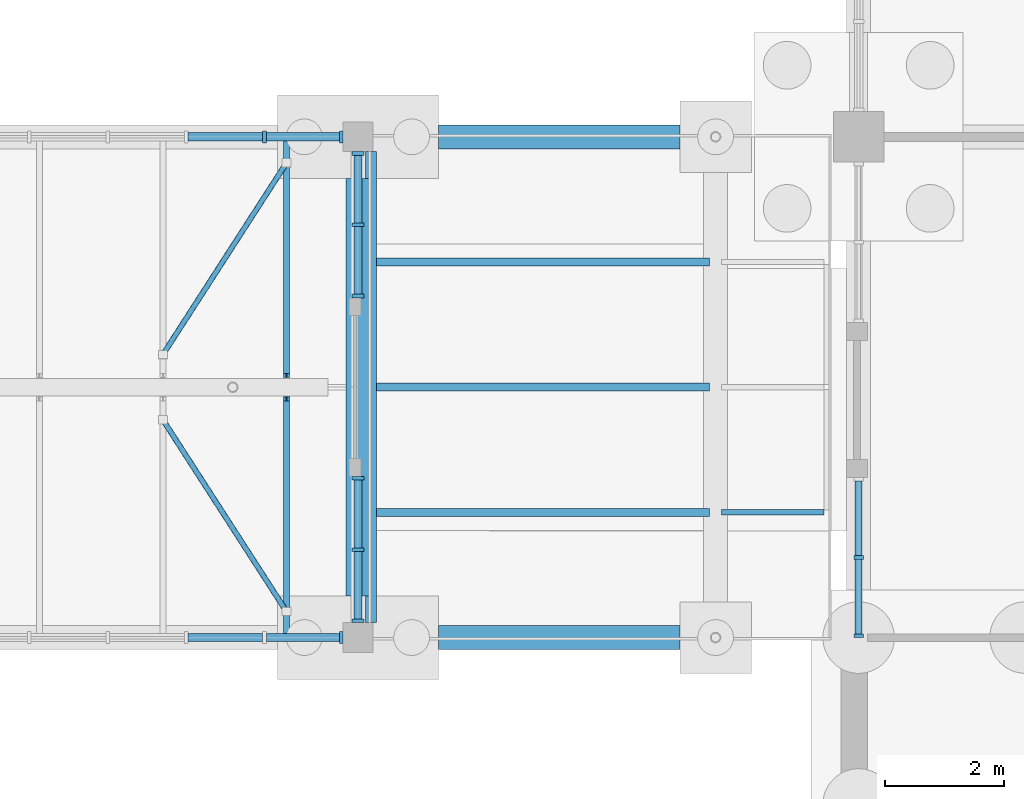
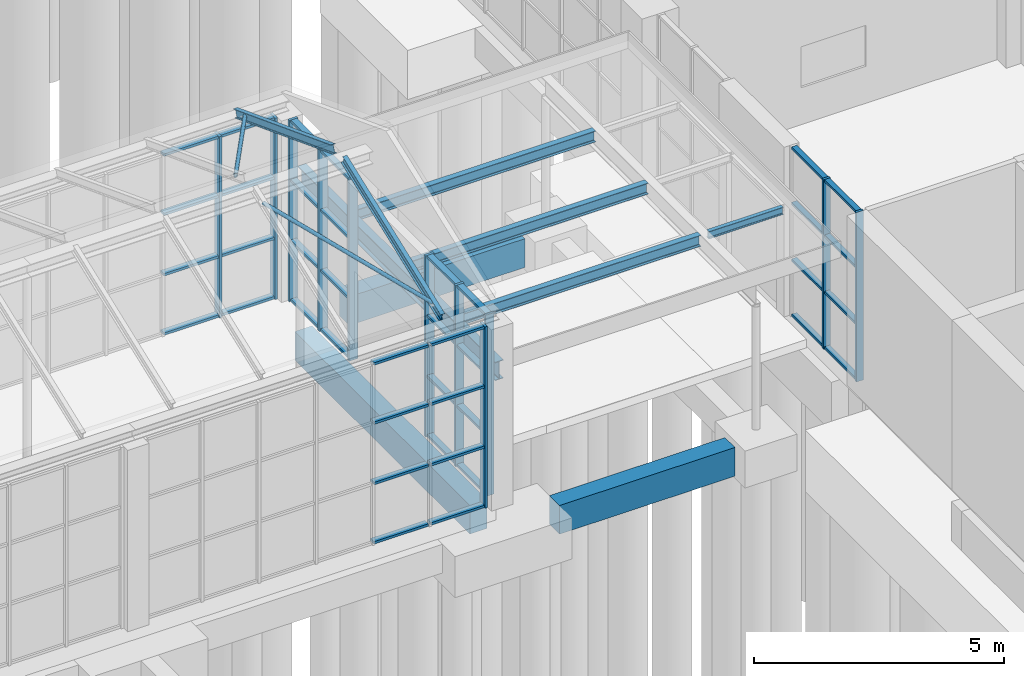
# One storey, part 67 of 138: 53 members, 10 beams, 5 elements without a shape of their own.
"""IFC4 building model written with IfcOpenShell, lengths in metres."""

from ifc_helpers import new_model, si_unit, direction, frame, origin, origin_2d, place, context, subcontext, project, spatial, rectangle, hollow_circle, i_section, extrude, material, material_profile, profile_set, type_object, element, aggregate, save


model = new_model("IFC4")

# Units and contexts
model_context = context("Model", 3, precision=1e-05, world=origin(), true_north=direction((0.0, 1.0)))
body_context = subcontext(model_context, "Body", "Model", "MODEL_VIEW")
ifc_project = project(units=[si_unit("LENGTHUNIT", "METRE"), si_unit("AREAUNIT", "SQUARE_METRE"), si_unit("VOLUMEUNIT", "CUBIC_METRE"), si_unit("PLANEANGLEUNIT", "RADIAN"), si_unit("MASSUNIT", "GRAM", prefix="KILO")], contexts=[model_context])

# Site, building, storey
site_placement = place(None, origin())
site = spatial("IfcSite", under=ifc_project, at=site_placement, CompositionType="ELEMENT")
building_placement = place(site_placement, origin())
building = spatial("IfcBuilding", under=site, at=building_placement, Name="Yavir Park General Hospital", CompositionType="ELEMENT")
storey_placement = place(building_placement, origin())
storey = spatial("IfcBuildingStorey", under=building, at=storey_placement, Name="L00", CompositionType="ELEMENT", Elevation=0.0)

# Members
ifc_material_1 = material(Name="Steel S355", Category="steel")
ifc_material_profile_1 = material_profile(ifc_material_1, hollow_circle(Radius=0.04443359375, WallThickness=0.0048828125, at=origin_2d()), Name="CHS88.9x5")
ifc_profile_set_1 = profile_set([ifc_material_profile_1], Name="Steel S355")
member_type_1 = type_object("IfcMemberType", Name="CHS 88.9x5 roof brace", PredefinedType="BRACE", material=ifc_profile_set_1)
member_1_placement = place(storey_placement, frame((133.199951171875, 50.839111328125, 4.999755859375), z_axis=(-0.516017146334, 0.800464760568, 0.304930273635), x_axis=(-0.840493535423, -0.541821572949, 0.0)))
element("IfcMember", 1, at=member_1_placement, inside=storey, type_object=member_type_1, Name="RF:CONC:frame:X:1", PredefinedType="BRACE", context=body_context, shape_type="SweptSolid", body=[
    extrude(hollow_circle(Radius=0.04443359375, WallThickness=0.0048828125, at=origin_2d()), origin(), (0.0, 0.0, 1.0), 4.016845703125),
])
member_2_placement = place(storey_placement, frame((133.199951171875, 58.361083984375, 4.999755859375), z_axis=(-0.515992042065, -0.80048659435, 0.304915438756), x_axis=(0.840512269238, -0.541792511262, 0.0)))
element("IfcMember", 2, at=member_2_placement, inside=storey, type_object=member_type_1, Name="RF:CONC:frame:X:3", PredefinedType="BRACE", context=body_context, shape_type="SweptSolid", body=[
    extrude(hollow_circle(Radius=0.04443359375, WallThickness=0.0048828125, at=origin_2d()), origin(), (0.0, 0.0, 1.0), 4.01708984375),
])

# Curtain wall, members
ifc_material_2 = material(Name="Aluminium curtain wall frame with insulated glazing", Category="aluminium")
curtain_wall_type_1 = type_object("IfcCurtainWallType", Name="Emergency walk-in glazing, 4140 high, 1400 module", PredefinedType="NOTDEFINED", material=ifc_material_2)
curtain_wall_1_placement = place(storey_placement, origin())
curtain_wall_1 = element("IfcCurtainWall", 3, at=curtain_wall_1_placement, inside=storey, type_object=curtain_wall_type_1, Name="CW5 L00-069", PredefinedType="NOTDEFINED")
ifc_material_3 = material(Name="Aluminium", Category="aluminium")
ifc_material_profile_2 = material_profile(ifc_material_3, rectangle(XDim=0.159912109375, YDim=0.06005859375, at=origin_2d()), Name="AL 60x160")
ifc_profile_set_2 = profile_set([ifc_material_profile_2], Name="Aluminium")
member_type_2 = type_object("IfcMemberType", Name="Emergency walk-in glazing, 4140 high mullion 60 x 160", PredefinedType="MULLION", material=ifc_profile_set_2)
member_3_placement = place(storey_placement, frame((142.800048828125, 50.429931640625, 0.0), z_axis=(0.0, 0.0, 1.0), x_axis=(-1.0, 0.0, 0.0)))
member_3 = element("IfcMember", 4, at=member_3_placement, type_object=member_type_2, Name="CW5 mullion 1", PredefinedType="MULLION", context=body_context, shape_type="SweptSolid", body=[
    extrude(rectangle(XDim=0.159912109375, YDim=0.06005859375, at=origin_2d()), origin(), (0.0, 0.0, 1.0), 4.139892578125),
])
member_4_placement = place(storey_placement, frame((142.800048828125, 51.74365234375, 0.0), z_axis=(0.0, 0.0, 1.0), x_axis=(-1.0, 0.0, 0.0)))
member_4 = element("IfcMember", 5, at=member_4_placement, type_object=member_type_2, Name="CW5 mullion 2", PredefinedType="MULLION", context=body_context, shape_type="SweptSolid", body=[
    extrude(rectangle(XDim=0.159912109375, YDim=0.06005859375, at=origin_2d()), origin(), (0.0, 0.0, 1.0), 4.139892578125),
])
ifc_material_4 = material(Name="Aluminium", Category="aluminium")
ifc_material_profile_3 = material_profile(ifc_material_4, rectangle(XDim=0.1201171875, YDim=0.06005859375, at=origin_2d()), Name="AL 120x60")
ifc_profile_set_3 = profile_set([ifc_material_profile_3], Name="Aluminium")
member_type_3 = type_object("IfcMemberType", Name="Emergency walk-in glazing, 4140 high transom 60 x 120", PredefinedType="MULLION", material=ifc_profile_set_3)
member_5_placement = place(storey_placement, frame((142.800048828125, 50.4599609375, 0.030029296875), z_axis=(0.0, 1.0, 0.0), x_axis=(-1.0, 0.0, 0.0)))
member_5 = element("IfcMember", 6, at=member_5_placement, type_object=member_type_3, Name="CW5 transom 1.1", PredefinedType="MULLION", context=body_context, shape_type="SweptSolid", body=[
    extrude(rectangle(XDim=0.1201171875, YDim=0.06005859375, at=origin_2d()), origin(), (0.0, 0.0, 1.0), 1.25390625),
])
member_6_placement = place(storey_placement, frame((142.800048828125, 50.4599609375, 1.3798828125), z_axis=(0.0, 1.0, 0.0), x_axis=(-1.0, 0.0, 0.0)))
member_6 = element("IfcMember", 7, at=member_6_placement, type_object=member_type_3, Name="CW5 transom 1.2", PredefinedType="MULLION", context=body_context, shape_type="SweptSolid", body=[
    extrude(rectangle(XDim=0.1201171875, YDim=0.06005859375, at=origin_2d()), origin(), (0.0, 0.0, 1.0), 1.25390625),
])
member_7_placement = place(storey_placement, frame((142.800048828125, 50.4599609375, 2.760009765625), z_axis=(0.0, 1.0, 0.0), x_axis=(-1.0, 0.0, 0.0)))
member_7 = element("IfcMember", 8, at=member_7_placement, type_object=member_type_3, Name="CW5 transom 1.3", PredefinedType="MULLION", context=body_context, shape_type="SweptSolid", body=[
    extrude(rectangle(XDim=0.1201171875, YDim=0.06005859375, at=origin_2d()), origin(), (0.0, 0.0, 1.0), 1.25390625),
])
member_8_placement = place(storey_placement, frame((142.800048828125, 50.4599609375, 4.110107421875), z_axis=(0.0, 1.0, 0.0), x_axis=(-1.0, 0.0, 0.0)))
member_8 = element("IfcMember", 9, at=member_8_placement, type_object=member_type_3, Name="CW5 transom 1.4", PredefinedType="MULLION", context=body_context, shape_type="SweptSolid", body=[
    extrude(rectangle(XDim=0.1201171875, YDim=0.06005859375, at=origin_2d()), origin(), (0.0, 0.0, 1.0), 1.25390625),
])
member_9_placement = place(storey_placement, frame((142.800048828125, 51.773681640625, 0.030029296875), z_axis=(0.0, 1.0, 0.0), x_axis=(-1.0, 0.0, 0.0)))
member_9 = element("IfcMember", 10, at=member_9_placement, type_object=member_type_3, Name="CW5 transom 2.1", PredefinedType="MULLION", context=body_context, shape_type="SweptSolid", body=[
    extrude(rectangle(XDim=0.1201171875, YDim=0.06005859375, at=origin_2d()), origin(), (0.0, 0.0, 1.0), 1.25390625),
])
member_10_placement = place(storey_placement, frame((142.800048828125, 51.773681640625, 1.3798828125), z_axis=(0.0, 1.0, 0.0), x_axis=(-1.0, 0.0, 0.0)))
member_10 = element("IfcMember", 11, at=member_10_placement, type_object=member_type_3, Name="CW5 transom 2.2", PredefinedType="MULLION", context=body_context, shape_type="SweptSolid", body=[
    extrude(rectangle(XDim=0.1201171875, YDim=0.06005859375, at=origin_2d()), origin(), (0.0, 0.0, 1.0), 1.25390625),
])
member_11_placement = place(storey_placement, frame((142.800048828125, 51.773681640625, 2.760009765625), z_axis=(0.0, 1.0, 0.0), x_axis=(-1.0, 0.0, 0.0)))
member_11 = element("IfcMember", 12, at=member_11_placement, type_object=member_type_3, Name="CW5 transom 2.3", PredefinedType="MULLION", context=body_context, shape_type="SweptSolid", body=[
    extrude(rectangle(XDim=0.1201171875, YDim=0.06005859375, at=origin_2d()), origin(), (0.0, 0.0, 1.0), 1.25390625),
])
member_12_placement = place(storey_placement, frame((142.800048828125, 51.773681640625, 4.110107421875), z_axis=(0.0, 1.0, 0.0), x_axis=(-1.0, 0.0, 0.0)))
member_12 = element("IfcMember", 13, at=member_12_placement, type_object=member_type_3, Name="CW5 transom 2.4", PredefinedType="MULLION", context=body_context, shape_type="SweptSolid", body=[
    extrude(rectangle(XDim=0.1201171875, YDim=0.06005859375, at=origin_2d()), origin(), (0.0, 0.0, 1.0), 1.25390625),
])
aggregate(curtain_wall_1, [member_3, member_4, member_5, member_6, member_7, member_8, member_9, member_10, member_11, member_12])

# Beams
ifc_material_5 = material(Name="Steel S355", Category="steel")
ifc_material_profile_4 = material_profile(ifc_material_5, i_section(OverallWidth=0.091064453125, OverallDepth=0.179931640625, WebThickness=0.00537109375, FlangeThickness=0.008056640625, FilletRadius=0.009033203125, at=origin_2d()), Name="IPE180")
ifc_profile_set_4 = profile_set([ifc_material_profile_4], Name="Steel S355")
beam_type_1 = type_object("IfcBeamType", Name="IPE 180 cantilever secondary beam, up to 2 m", PredefinedType="JOIST", material=ifc_profile_set_4)
beam_1_placement = place(storey_placement, frame((142.218017578125, 52.5, 3.110107421875), z_axis=(-1.0, 0.0, 0.0), x_axis=(0.0, -1.0, 0.0)))
element("IfcBeam", 14, at=beam_1_placement, inside=storey, type_object=beam_type_1, Name="B:EDW:J1-0", PredefinedType="JOIST", context=body_context, shape_type="SweptSolid", body=[
    extrude(i_section(OverallWidth=0.091064453125, OverallDepth=0.179931640625, WebThickness=0.00537109375, FlangeThickness=0.008056640625, FilletRadius=0.009033203125, at=origin_2d()), origin(), (0.0, 0.0, 1.0), 1.718017578125),
])
ifc_material_6 = material(Name="Steel S355", Category="steel")
ifc_material_profile_5 = material_profile(ifc_material_6, i_section(OverallWidth=0.10009765625, OverallDepth=0.199951171875, WebThickness=0.005615234375, FlangeThickness=0.008544921875, FilletRadius=0.011962890625, at=origin_2d()), Name="IPE200")
ifc_profile_set_5 = profile_set([ifc_material_profile_5], Name="Steel S355")
beam_type_2 = type_object("IfcBeamType", Name="IPE 200 rafter", PredefinedType="JOIST", material=ifc_profile_set_5)
for number, where, z_axis, x_axis, name in (
    (15, (133.199951171875, 50.489013671875, 4.866455078125), (0.0, 0.934494196525, 0.35597836544), (-1.0, 0.0, 0.0), "RF:CONC:frame:R:22"),
    (16, (133.199951171875, 54.795654296875, 6.35791015625), (0.0, 0.934494196525, -0.35597836544), (-1.0, 0.0, 0.0), "RF:CONC:frame:R:23"),
):
    element("IfcBeam", number, at=place(storey_placement, frame(where, z_axis=z_axis, x_axis=x_axis)), inside=storey, type_object=beam_type_2, Name=name, PredefinedType="JOIST", context=body_context, shape_type="SweptSolid", body=[
        extrude(i_section(OverallWidth=0.10009765625, OverallDepth=0.199951171875, WebThickness=0.005615234375, FlangeThickness=0.008544921875, FilletRadius=0.011962890625, at=origin_2d()), origin(), (0.0, 0.0, 1.0), 4.189697265625),
    ])
ifc_material_7 = material(Name="Steel S355", Category="steel")
ifc_material_profile_6 = material_profile(ifc_material_7, i_section(OverallWidth=0.135009765625, OverallDepth=0.27001953125, WebThickness=0.006591796875, FlangeThickness=0.01025390625, FilletRadius=0.014892578125, at=origin_2d()), Name="IPE270")
ifc_profile_set_6 = profile_set([ifc_material_profile_6], Name="Steel S355")
beam_type_3 = type_object("IfcBeamType", Name="IPE 270 secondary beam, up to 6 m span", PredefinedType="JOIST", material=ifc_profile_set_6)
for number, where, z_axis, x_axis, name in (
    (17, (140.300048828125, 52.5, 3.06494140625), (-1.0, 0.0, 0.0), (0.0, -1.0, 0.0), "B:EDW:J1-1"),
    (18, (140.300048828125, 54.60009765625, 3.06494140625), (-1.0, 0.0, 0.0), (0.0, -1.0, 0.0), "B:EDW:J2-1"),
    (19, (140.300048828125, 56.699951171875, 3.06494140625), (-1.0, 0.0, 0.0), (0.0, -1.0, 0.0), "B:EDW:J3-1"),
):
    element("IfcBeam", number, at=place(storey_placement, frame(where, z_axis=z_axis, x_axis=x_axis)), inside=storey, type_object=beam_type_3, Name=name, PredefinedType="JOIST", context=body_context, shape_type="SweptSolid", body=[
        extrude(i_section(OverallWidth=0.135009765625, OverallDepth=0.27001953125, WebThickness=0.006591796875, FlangeThickness=0.01025390625, FilletRadius=0.014892578125, at=origin_2d()), origin(), (0.0, 0.0, 1.0), 5.5849609375),
    ])
ifc_material_8 = material(Name="Steel S355", Category="steel")
ifc_material_profile_7 = material_profile(ifc_material_8, i_section(OverallWidth=0.18994140625, OverallDepth=0.449951171875, WebThickness=0.009521484375, FlangeThickness=0.0146484375, FilletRadius=0.02099609375, at=origin_2d()), Name="IPE450")
ifc_profile_set_7 = profile_set([ifc_material_profile_7], Name="Steel S355")
beam_type_4 = type_object("IfcBeamType", Name="IPE 450 main beam, outer row, up to 8.5 m span", PredefinedType="BEAM", material=ifc_profile_set_7)
beam_2_placement = place(storey_placement, frame((134.6201171875, 50.64990234375, 2.97509765625), z_axis=(0.0, 1.0, 0.0), x_axis=(-1.0, 0.0, 0.0)))
element("IfcBeam", 20, at=beam_2_placement, inside=storey, type_object=beam_type_4, Name="B:EDW:M10", PredefinedType="BEAM", context=body_context, shape_type="SweptSolid", body=[
    extrude(i_section(OverallWidth=0.18994140625, OverallDepth=0.449951171875, WebThickness=0.009521484375, FlangeThickness=0.0146484375, FilletRadius=0.02099609375, at=origin_2d()), origin(), (0.0, 0.0, 1.0), 7.900146484375),
])
ifc_material_9 = material(Name="Concrete C35/45", Category="concrete")
ifc_material_profile_8 = material_profile(ifc_material_9, rectangle(XDim=0.39990234375, YDim=0.699951171875, at=origin_2d()), Name="RC400x700")
ifc_profile_set_8 = profile_set([ifc_material_profile_8], Name="Concrete C35/45")
beam_type_5 = type_object("IfcBeamType", Name="RC BEAM 400x700 ground beam", PredefinedType="BEAM", material=ifc_profile_set_8)
for number, where, z_axis, x_axis, name in (
    (21, (135.75, 50.39990234375, -0.800048828125), (1.0, 0.0, 0.0), (0.0, 1.0, 0.0), "B:GND:L00:17G:EDW:C00"),
    (22, (135.75, 58.800048828125, -0.800048828125), (1.0, 0.0, 0.0), (0.0, 1.0, 0.0), "B:GND:L00:17H:EDW:C01"),
):
    element("IfcBeam", number, at=place(storey_placement, frame(where, z_axis=z_axis, x_axis=x_axis)), inside=storey, type_object=beam_type_5, Name=name, PredefinedType="BEAM", context=body_context, shape_type="SweptSolid", body=[
        extrude(rectangle(XDim=0.39990234375, YDim=0.699951171875, at=origin_2d()), origin(), (0.0, 0.0, 1.0), 4.050048828125),
    ])
beam_3_placement = place(storey_placement, frame((134.39990234375, 51.10009765625, -0.800048828125), z_axis=(0.0, 1.0, 0.0), x_axis=(-1.0, 0.0, 0.0)))
element("IfcBeam", 23, at=beam_3_placement, inside=storey, type_object=beam_type_5, Name="B:GND:L00:17G:L00:17H", PredefinedType="BEAM", context=body_context, shape_type="SweptSolid", body=[
    extrude(rectangle(XDim=0.39990234375, YDim=0.699951171875, at=origin_2d()), origin(), (0.0, 0.0, 1.0), 7.0),
])

# Curtain wall, member
ifc_material_10 = material(Name="Aluminium curtain wall frame with insulated glazing", Category="aluminium")
curtain_wall_type_2 = type_object("IfcCurtainWallType", Name="Winter-garden concourse glazing, 4425 high, 1400 module", PredefinedType="NOTDEFINED", material=ifc_material_10)
curtain_wall_2_placement = place(storey_placement, origin())
curtain_wall_2 = element("IfcCurtainWall", 24, at=curtain_wall_2_placement, inside=storey, type_object=curtain_wall_type_2, Name="CW37 L00-016", PredefinedType="NOTDEFINED")
ifc_material_11 = material(Name="Aluminium", Category="aluminium")
ifc_material_profile_9 = material_profile(ifc_material_11, rectangle(XDim=0.199951171875, YDim=0.06005859375, at=origin_2d()), Name="AL 60x200")
ifc_profile_set_9 = profile_set([ifc_material_profile_9], Name="Aluminium")
member_type_4 = type_object("IfcMemberType", Name="Winter-garden concourse glazing, 4425 high mullion 60 x 200", PredefinedType="MULLION", material=ifc_profile_set_9)
member_13_placement = place(storey_placement, frame((134.1201171875, 50.39990234375, 0.0), z_axis=(0.0, 0.0, 1.0), x_axis=(0.0, 1.0, 0.0)))
member_13 = element("IfcMember", 25, at=member_13_placement, type_object=member_type_4, Name="CW37 mullion 7", PredefinedType="MULLION", context=body_context, shape_type="SweptSolid", body=[
    extrude(rectangle(XDim=0.199951171875, YDim=0.06005859375, at=origin_2d()), origin(), (0.0, 0.0, 1.0), 4.425048828125),
])

# Curtain wall, members
curtain_wall_3_placement = place(storey_placement, origin())
curtain_wall_3 = element("IfcCurtainWall", 26, at=curtain_wall_3_placement, inside=storey, type_object=curtain_wall_type_2, Name="CW37 L00-021", PredefinedType="NOTDEFINED")
member_14_placement = place(storey_placement, frame((132.833251953125, 58.800048828125, 0.0), z_axis=(0.0, 0.0, 1.0), x_axis=(0.0, 1.0, 0.0)))
member_14 = element("IfcMember", 27, at=member_14_placement, type_object=member_type_4, Name="CW37 mullion 6", PredefinedType="MULLION", context=body_context, shape_type="SweptSolid", body=[
    extrude(rectangle(XDim=0.199951171875, YDim=0.06005859375, at=origin_2d()), origin(), (0.0, 0.0, 1.0), 4.425048828125),
])
member_15_placement = place(storey_placement, frame((134.1201171875, 58.800048828125, 0.0), z_axis=(0.0, 0.0, 1.0), x_axis=(0.0, 1.0, 0.0)))
member_15 = element("IfcMember", 28, at=member_15_placement, type_object=member_type_4, Name="CW37 mullion 7", PredefinedType="MULLION", context=body_context, shape_type="SweptSolid", body=[
    extrude(rectangle(XDim=0.199951171875, YDim=0.06005859375, at=origin_2d()), origin(), (0.0, 0.0, 1.0), 4.425048828125),
])

curtain_wall_4_placement = place(storey_placement, origin())
curtain_wall_4 = element("IfcCurtainWall", 29, at=curtain_wall_4_placement, inside=storey, type_object=curtain_wall_type_2, Name="CW37 L00-067", PredefinedType="NOTDEFINED")
member_16_placement = place(storey_placement, frame((134.39990234375, 50.679931640625, 0.0), z_axis=(0.0, 0.0, 1.0), x_axis=(-1.0, 0.0, 0.0)))
member_16 = element("IfcMember", 30, at=member_16_placement, type_object=member_type_4, Name="CW37 mullion 1", PredefinedType="MULLION", context=body_context, shape_type="SweptSolid", body=[
    extrude(rectangle(XDim=0.199951171875, YDim=0.06005859375, at=origin_2d()), origin(), (0.0, 0.0, 1.0), 4.425048828125),
])
member_17_placement = place(storey_placement, frame((134.39990234375, 51.875, 0.0), z_axis=(0.0, 0.0, 1.0), x_axis=(-1.0, 0.0, 0.0)))
member_17 = element("IfcMember", 31, at=member_17_placement, type_object=member_type_4, Name="CW37 mullion 2", PredefinedType="MULLION", context=body_context, shape_type="SweptSolid", body=[
    extrude(rectangle(XDim=0.199951171875, YDim=0.06005859375, at=origin_2d()), origin(), (0.0, 0.0, 1.0), 4.425048828125),
])
member_18_placement = place(storey_placement, frame((134.39990234375, 53.070068359375, 0.0), z_axis=(0.0, 0.0, 1.0), x_axis=(-1.0, 0.0, 0.0)))
member_18 = element("IfcMember", 32, at=member_18_placement, type_object=member_type_4, Name="CW37 mullion 3", PredefinedType="MULLION", context=body_context, shape_type="SweptSolid", body=[
    extrude(rectangle(XDim=0.199951171875, YDim=0.06005859375, at=origin_2d()), origin(), (0.0, 0.0, 1.0), 4.425048828125),
])

curtain_wall_5_placement = place(storey_placement, origin())
curtain_wall_5 = element("IfcCurtainWall", 33, at=curtain_wall_5_placement, inside=storey, type_object=curtain_wall_type_2, Name="CW37 L00-068", PredefinedType="NOTDEFINED")
member_19_placement = place(storey_placement, frame((134.39990234375, 56.1298828125, 0.0), z_axis=(0.0, 0.0, 1.0), x_axis=(-1.0, 0.0, 0.0)))
member_19 = element("IfcMember", 34, at=member_19_placement, type_object=member_type_4, Name="CW37 mullion 1", PredefinedType="MULLION", context=body_context, shape_type="SweptSolid", body=[
    extrude(rectangle(XDim=0.199951171875, YDim=0.06005859375, at=origin_2d()), origin(), (0.0, 0.0, 1.0), 4.425048828125),
])
member_20_placement = place(storey_placement, frame((134.39990234375, 57.324951171875, 0.0), z_axis=(0.0, 0.0, 1.0), x_axis=(-1.0, 0.0, 0.0)))
member_20 = element("IfcMember", 35, at=member_20_placement, type_object=member_type_4, Name="CW37 mullion 2", PredefinedType="MULLION", context=body_context, shape_type="SweptSolid", body=[
    extrude(rectangle(XDim=0.199951171875, YDim=0.06005859375, at=origin_2d()), origin(), (0.0, 0.0, 1.0), 4.425048828125),
])
member_21_placement = place(storey_placement, frame((134.39990234375, 58.52001953125, 0.0), z_axis=(0.0, 0.0, 1.0), x_axis=(-1.0, 0.0, 0.0)))
member_21 = element("IfcMember", 36, at=member_21_placement, type_object=member_type_4, Name="CW37 mullion 3", PredefinedType="MULLION", context=body_context, shape_type="SweptSolid", body=[
    extrude(rectangle(XDim=0.199951171875, YDim=0.06005859375, at=origin_2d()), origin(), (0.0, 0.0, 1.0), 4.425048828125),
])

# Member
ifc_material_12 = material(Name="Aluminium", Category="aluminium")
ifc_material_profile_10 = material_profile(ifc_material_12, rectangle(XDim=0.139892578125, YDim=0.06005859375, at=origin_2d()), Name="AL 140x60")
ifc_profile_set_10 = profile_set([ifc_material_profile_10], Name="Aluminium")
member_type_5 = type_object("IfcMemberType", Name="Winter-garden concourse glazing, 4425 high transom 60 x 140", PredefinedType="MULLION", material=ifc_profile_set_10)
member_22_placement = place(storey_placement, frame((131.546630859375, 50.39990234375, 0.030029296875), z_axis=(1.0, 0.0, 0.0), x_axis=(0.0, 1.0, 0.0)))
member_22 = element("IfcMember", 37, at=member_22_placement, type_object=member_type_5, Name="CW37 transom 5.1", PredefinedType="MULLION", context=body_context, shape_type="SweptSolid", body=[
    extrude(rectangle(XDim=0.139892578125, YDim=0.06005859375, at=origin_2d()), origin(), (0.0, 0.0, 1.0), 1.256591796875),
])

member_23_placement = place(storey_placement, frame((131.546630859375, 50.39990234375, 1.47509765625), z_axis=(1.0, 0.0, 0.0), x_axis=(0.0, 1.0, 0.0)))
member_23 = element("IfcMember", 38, at=member_23_placement, type_object=member_type_5, Name="CW37 transom 5.2", PredefinedType="MULLION", context=body_context, shape_type="SweptSolid", body=[
    extrude(rectangle(XDim=0.139892578125, YDim=0.06005859375, at=origin_2d()), origin(), (0.0, 0.0, 1.0), 1.256591796875),
])

member_24_placement = place(storey_placement, frame((131.546630859375, 50.39990234375, 2.949951171875), z_axis=(1.0, 0.0, 0.0), x_axis=(0.0, 1.0, 0.0)))
member_24 = element("IfcMember", 39, at=member_24_placement, type_object=member_type_5, Name="CW37 transom 5.3", PredefinedType="MULLION", context=body_context, shape_type="SweptSolid", body=[
    extrude(rectangle(XDim=0.139892578125, YDim=0.06005859375, at=origin_2d()), origin(), (0.0, 0.0, 1.0), 1.256591796875),
])

member_25_placement = place(storey_placement, frame((131.546630859375, 50.39990234375, 4.39501953125), z_axis=(1.0, 0.0, 0.0), x_axis=(0.0, 1.0, 0.0)))
member_25 = element("IfcMember", 40, at=member_25_placement, type_object=member_type_5, Name="CW37 transom 5.4", PredefinedType="MULLION", context=body_context, shape_type="SweptSolid", body=[
    extrude(rectangle(XDim=0.139892578125, YDim=0.06005859375, at=origin_2d()), origin(), (0.0, 0.0, 1.0), 1.256591796875),
])

member_26_placement = place(storey_placement, frame((132.86328125, 50.39990234375, 0.030029296875), z_axis=(1.0, 0.0, 0.0), x_axis=(0.0, 1.0, 0.0)))
member_26 = element("IfcMember", 41, at=member_26_placement, type_object=member_type_5, Name="CW37 transom 6.1", PredefinedType="MULLION", context=body_context, shape_type="SweptSolid", body=[
    extrude(rectangle(XDim=0.139892578125, YDim=0.06005859375, at=origin_2d()), origin(), (0.0, 0.0, 1.0), 1.226806640625),
])

member_27_placement = place(storey_placement, frame((132.86328125, 50.39990234375, 1.47509765625), z_axis=(1.0, 0.0, 0.0), x_axis=(0.0, 1.0, 0.0)))
member_27 = element("IfcMember", 42, at=member_27_placement, type_object=member_type_5, Name="CW37 transom 6.2", PredefinedType="MULLION", context=body_context, shape_type="SweptSolid", body=[
    extrude(rectangle(XDim=0.139892578125, YDim=0.06005859375, at=origin_2d()), origin(), (0.0, 0.0, 1.0), 1.226806640625),
])

member_28_placement = place(storey_placement, frame((132.86328125, 50.39990234375, 2.949951171875), z_axis=(1.0, 0.0, 0.0), x_axis=(0.0, 1.0, 0.0)))
member_28 = element("IfcMember", 43, at=member_28_placement, type_object=member_type_5, Name="CW37 transom 6.3", PredefinedType="MULLION", context=body_context, shape_type="SweptSolid", body=[
    extrude(rectangle(XDim=0.139892578125, YDim=0.06005859375, at=origin_2d()), origin(), (0.0, 0.0, 1.0), 1.226806640625),
])

member_29_placement = place(storey_placement, frame((132.86328125, 50.39990234375, 4.39501953125), z_axis=(1.0, 0.0, 0.0), x_axis=(0.0, 1.0, 0.0)))
member_29 = element("IfcMember", 44, at=member_29_placement, type_object=member_type_5, Name="CW37 transom 6.4", PredefinedType="MULLION", context=body_context, shape_type="SweptSolid", body=[
    extrude(rectangle(XDim=0.139892578125, YDim=0.06005859375, at=origin_2d()), origin(), (0.0, 0.0, 1.0), 1.226806640625),
])

aggregate(curtain_wall_2, [member_13, member_22, member_23, member_24, member_25, member_26, member_27, member_28, member_29])

member_30_placement = place(storey_placement, frame((131.546630859375, 58.800048828125, 0.030029296875), z_axis=(1.0, 0.0, 0.0), x_axis=(0.0, 1.0, 0.0)))
member_30 = element("IfcMember", 45, at=member_30_placement, type_object=member_type_5, Name="CW37 transom 5.1", PredefinedType="MULLION", context=body_context, shape_type="SweptSolid", body=[
    extrude(rectangle(XDim=0.139892578125, YDim=0.06005859375, at=origin_2d()), origin(), (0.0, 0.0, 1.0), 1.256591796875),
])

member_31_placement = place(storey_placement, frame((131.546630859375, 58.800048828125, 1.47509765625), z_axis=(1.0, 0.0, 0.0), x_axis=(0.0, 1.0, 0.0)))
member_31 = element("IfcMember", 46, at=member_31_placement, type_object=member_type_5, Name="CW37 transom 5.2", PredefinedType="MULLION", context=body_context, shape_type="SweptSolid", body=[
    extrude(rectangle(XDim=0.139892578125, YDim=0.06005859375, at=origin_2d()), origin(), (0.0, 0.0, 1.0), 1.256591796875),
])

member_32_placement = place(storey_placement, frame((131.546630859375, 58.800048828125, 2.949951171875), z_axis=(1.0, 0.0, 0.0), x_axis=(0.0, 1.0, 0.0)))
member_32 = element("IfcMember", 47, at=member_32_placement, type_object=member_type_5, Name="CW37 transom 5.3", PredefinedType="MULLION", context=body_context, shape_type="SweptSolid", body=[
    extrude(rectangle(XDim=0.139892578125, YDim=0.06005859375, at=origin_2d()), origin(), (0.0, 0.0, 1.0), 1.256591796875),
])

member_33_placement = place(storey_placement, frame((131.546630859375, 58.800048828125, 4.39501953125), z_axis=(1.0, 0.0, 0.0), x_axis=(0.0, 1.0, 0.0)))
member_33 = element("IfcMember", 48, at=member_33_placement, type_object=member_type_5, Name="CW37 transom 5.4", PredefinedType="MULLION", context=body_context, shape_type="SweptSolid", body=[
    extrude(rectangle(XDim=0.139892578125, YDim=0.06005859375, at=origin_2d()), origin(), (0.0, 0.0, 1.0), 1.256591796875),
])

member_34_placement = place(storey_placement, frame((132.86328125, 58.800048828125, 0.030029296875), z_axis=(1.0, 0.0, 0.0), x_axis=(0.0, 1.0, 0.0)))
member_34 = element("IfcMember", 49, at=member_34_placement, type_object=member_type_5, Name="CW37 transom 6.1", PredefinedType="MULLION", context=body_context, shape_type="SweptSolid", body=[
    extrude(rectangle(XDim=0.139892578125, YDim=0.06005859375, at=origin_2d()), origin(), (0.0, 0.0, 1.0), 1.226806640625),
])

member_35_placement = place(storey_placement, frame((132.86328125, 58.800048828125, 1.47509765625), z_axis=(1.0, 0.0, 0.0), x_axis=(0.0, 1.0, 0.0)))
member_35 = element("IfcMember", 50, at=member_35_placement, type_object=member_type_5, Name="CW37 transom 6.2", PredefinedType="MULLION", context=body_context, shape_type="SweptSolid", body=[
    extrude(rectangle(XDim=0.139892578125, YDim=0.06005859375, at=origin_2d()), origin(), (0.0, 0.0, 1.0), 1.226806640625),
])

member_36_placement = place(storey_placement, frame((132.86328125, 58.800048828125, 2.949951171875), z_axis=(1.0, 0.0, 0.0), x_axis=(0.0, 1.0, 0.0)))
member_36 = element("IfcMember", 51, at=member_36_placement, type_object=member_type_5, Name="CW37 transom 6.3", PredefinedType="MULLION", context=body_context, shape_type="SweptSolid", body=[
    extrude(rectangle(XDim=0.139892578125, YDim=0.06005859375, at=origin_2d()), origin(), (0.0, 0.0, 1.0), 1.226806640625),
])

member_37_placement = place(storey_placement, frame((132.86328125, 58.800048828125, 4.39501953125), z_axis=(1.0, 0.0, 0.0), x_axis=(0.0, 1.0, 0.0)))
member_37 = element("IfcMember", 52, at=member_37_placement, type_object=member_type_5, Name="CW37 transom 6.4", PredefinedType="MULLION", context=body_context, shape_type="SweptSolid", body=[
    extrude(rectangle(XDim=0.139892578125, YDim=0.06005859375, at=origin_2d()), origin(), (0.0, 0.0, 1.0), 1.226806640625),
])

aggregate(curtain_wall_3, [member_14, member_15, member_30, member_31, member_32, member_33, member_34, member_35, member_36, member_37])

member_38_placement = place(storey_placement, frame((134.39990234375, 50.7099609375, 0.030029296875), z_axis=(0.0, 1.0, 0.0), x_axis=(-1.0, 0.0, 0.0)))
member_38 = element("IfcMember", 53, at=member_38_placement, type_object=member_type_5, Name="CW37 transom 1.1", PredefinedType="MULLION", context=body_context, shape_type="SweptSolid", body=[
    extrude(rectangle(XDim=0.139892578125, YDim=0.06005859375, at=origin_2d()), origin(), (0.0, 0.0, 1.0), 1.135009765625),
])

member_39_placement = place(storey_placement, frame((134.39990234375, 50.7099609375, 1.47509765625), z_axis=(0.0, 1.0, 0.0), x_axis=(-1.0, 0.0, 0.0)))
member_39 = element("IfcMember", 54, at=member_39_placement, type_object=member_type_5, Name="CW37 transom 1.2", PredefinedType="MULLION", context=body_context, shape_type="SweptSolid", body=[
    extrude(rectangle(XDim=0.139892578125, YDim=0.06005859375, at=origin_2d()), origin(), (0.0, 0.0, 1.0), 1.135009765625),
])

member_40_placement = place(storey_placement, frame((134.39990234375, 50.7099609375, 2.949951171875), z_axis=(0.0, 1.0, 0.0), x_axis=(-1.0, 0.0, 0.0)))
member_40 = element("IfcMember", 55, at=member_40_placement, type_object=member_type_5, Name="CW37 transom 1.3", PredefinedType="MULLION", context=body_context, shape_type="SweptSolid", body=[
    extrude(rectangle(XDim=0.139892578125, YDim=0.06005859375, at=origin_2d()), origin(), (0.0, 0.0, 1.0), 1.135009765625),
])

member_41_placement = place(storey_placement, frame((134.39990234375, 50.7099609375, 4.39501953125), z_axis=(0.0, 1.0, 0.0), x_axis=(-1.0, 0.0, 0.0)))
member_41 = element("IfcMember", 56, at=member_41_placement, type_object=member_type_5, Name="CW37 transom 1.4", PredefinedType="MULLION", context=body_context, shape_type="SweptSolid", body=[
    extrude(rectangle(XDim=0.139892578125, YDim=0.06005859375, at=origin_2d()), origin(), (0.0, 0.0, 1.0), 1.135009765625),
])

member_42_placement = place(storey_placement, frame((134.39990234375, 51.905029296875, 0.030029296875), z_axis=(0.0, 1.0, 0.0), x_axis=(-1.0, 0.0, 0.0)))
member_42 = element("IfcMember", 57, at=member_42_placement, type_object=member_type_5, Name="CW37 transom 2.1", PredefinedType="MULLION", context=body_context, shape_type="SweptSolid", body=[
    extrude(rectangle(XDim=0.139892578125, YDim=0.06005859375, at=origin_2d()), origin(), (0.0, 0.0, 1.0), 1.135009765625),
])

member_43_placement = place(storey_placement, frame((134.39990234375, 51.905029296875, 1.47509765625), z_axis=(0.0, 1.0, 0.0), x_axis=(-1.0, 0.0, 0.0)))
member_43 = element("IfcMember", 58, at=member_43_placement, type_object=member_type_5, Name="CW37 transom 2.2", PredefinedType="MULLION", context=body_context, shape_type="SweptSolid", body=[
    extrude(rectangle(XDim=0.139892578125, YDim=0.06005859375, at=origin_2d()), origin(), (0.0, 0.0, 1.0), 1.135009765625),
])

member_44_placement = place(storey_placement, frame((134.39990234375, 51.905029296875, 2.949951171875), z_axis=(0.0, 1.0, 0.0), x_axis=(-1.0, 0.0, 0.0)))
member_44 = element("IfcMember", 59, at=member_44_placement, type_object=member_type_5, Name="CW37 transom 2.3", PredefinedType="MULLION", context=body_context, shape_type="SweptSolid", body=[
    extrude(rectangle(XDim=0.139892578125, YDim=0.06005859375, at=origin_2d()), origin(), (0.0, 0.0, 1.0), 1.135009765625),
])

member_45_placement = place(storey_placement, frame((134.39990234375, 51.905029296875, 4.39501953125), z_axis=(0.0, 1.0, 0.0), x_axis=(-1.0, 0.0, 0.0)))
member_45 = element("IfcMember", 60, at=member_45_placement, type_object=member_type_5, Name="CW37 transom 2.4", PredefinedType="MULLION", context=body_context, shape_type="SweptSolid", body=[
    extrude(rectangle(XDim=0.139892578125, YDim=0.06005859375, at=origin_2d()), origin(), (0.0, 0.0, 1.0), 1.135009765625),
])

aggregate(curtain_wall_4, [member_16, member_17, member_18, member_38, member_39, member_40, member_41, member_42, member_43, member_44, member_45])

member_46_placement = place(storey_placement, frame((134.39990234375, 56.159912109375, 0.030029296875), z_axis=(0.0, 1.0, 0.0), x_axis=(-1.0, 0.0, 0.0)))
member_46 = element("IfcMember", 61, at=member_46_placement, type_object=member_type_5, Name="CW37 transom 1.1", PredefinedType="MULLION", context=body_context, shape_type="SweptSolid", body=[
    extrude(rectangle(XDim=0.139892578125, YDim=0.06005859375, at=origin_2d()), origin(), (0.0, 0.0, 1.0), 1.135009765625),
])

member_47_placement = place(storey_placement, frame((134.39990234375, 56.159912109375, 1.47509765625), z_axis=(0.0, 1.0, 0.0), x_axis=(-1.0, 0.0, 0.0)))
member_47 = element("IfcMember", 62, at=member_47_placement, type_object=member_type_5, Name="CW37 transom 1.2", PredefinedType="MULLION", context=body_context, shape_type="SweptSolid", body=[
    extrude(rectangle(XDim=0.139892578125, YDim=0.06005859375, at=origin_2d()), origin(), (0.0, 0.0, 1.0), 1.135009765625),
])

member_48_placement = place(storey_placement, frame((134.39990234375, 56.159912109375, 2.949951171875), z_axis=(0.0, 1.0, 0.0), x_axis=(-1.0, 0.0, 0.0)))
member_48 = element("IfcMember", 63, at=member_48_placement, type_object=member_type_5, Name="CW37 transom 1.3", PredefinedType="MULLION", context=body_context, shape_type="SweptSolid", body=[
    extrude(rectangle(XDim=0.139892578125, YDim=0.06005859375, at=origin_2d()), origin(), (0.0, 0.0, 1.0), 1.135009765625),
])

member_49_placement = place(storey_placement, frame((134.39990234375, 56.159912109375, 4.39501953125), z_axis=(0.0, 1.0, 0.0), x_axis=(-1.0, 0.0, 0.0)))
member_49 = element("IfcMember", 64, at=member_49_placement, type_object=member_type_5, Name="CW37 transom 1.4", PredefinedType="MULLION", context=body_context, shape_type="SweptSolid", body=[
    extrude(rectangle(XDim=0.139892578125, YDim=0.06005859375, at=origin_2d()), origin(), (0.0, 0.0, 1.0), 1.135009765625),
])

member_50_placement = place(storey_placement, frame((134.39990234375, 57.35498046875, 0.030029296875), z_axis=(0.0, 1.0, 0.0), x_axis=(-1.0, 0.0, 0.0)))
member_50 = element("IfcMember", 65, at=member_50_placement, type_object=member_type_5, Name="CW37 transom 2.1", PredefinedType="MULLION", context=body_context, shape_type="SweptSolid", body=[
    extrude(rectangle(XDim=0.139892578125, YDim=0.06005859375, at=origin_2d()), origin(), (0.0, 0.0, 1.0), 1.135009765625),
])

member_51_placement = place(storey_placement, frame((134.39990234375, 57.35498046875, 1.47509765625), z_axis=(0.0, 1.0, 0.0), x_axis=(-1.0, 0.0, 0.0)))
member_51 = element("IfcMember", 66, at=member_51_placement, type_object=member_type_5, Name="CW37 transom 2.2", PredefinedType="MULLION", context=body_context, shape_type="SweptSolid", body=[
    extrude(rectangle(XDim=0.139892578125, YDim=0.06005859375, at=origin_2d()), origin(), (0.0, 0.0, 1.0), 1.135009765625),
])

member_52_placement = place(storey_placement, frame((134.39990234375, 57.35498046875, 2.949951171875), z_axis=(0.0, 1.0, 0.0), x_axis=(-1.0, 0.0, 0.0)))
member_52 = element("IfcMember", 67, at=member_52_placement, type_object=member_type_5, Name="CW37 transom 2.3", PredefinedType="MULLION", context=body_context, shape_type="SweptSolid", body=[
    extrude(rectangle(XDim=0.139892578125, YDim=0.06005859375, at=origin_2d()), origin(), (0.0, 0.0, 1.0), 1.135009765625),
])

member_53_placement = place(storey_placement, frame((134.39990234375, 57.35498046875, 4.39501953125), z_axis=(0.0, 1.0, 0.0), x_axis=(-1.0, 0.0, 0.0)))
member_53 = element("IfcMember", 68, at=member_53_placement, type_object=member_type_5, Name="CW37 transom 2.4", PredefinedType="MULLION", context=body_context, shape_type="SweptSolid", body=[
    extrude(rectangle(XDim=0.139892578125, YDim=0.06005859375, at=origin_2d()), origin(), (0.0, 0.0, 1.0), 1.135009765625),
])

aggregate(curtain_wall_5, [member_19, member_20, member_21, member_46, member_47, member_48, member_49, member_50, member_51, member_52, member_53])

save(model, "model.ifc")
